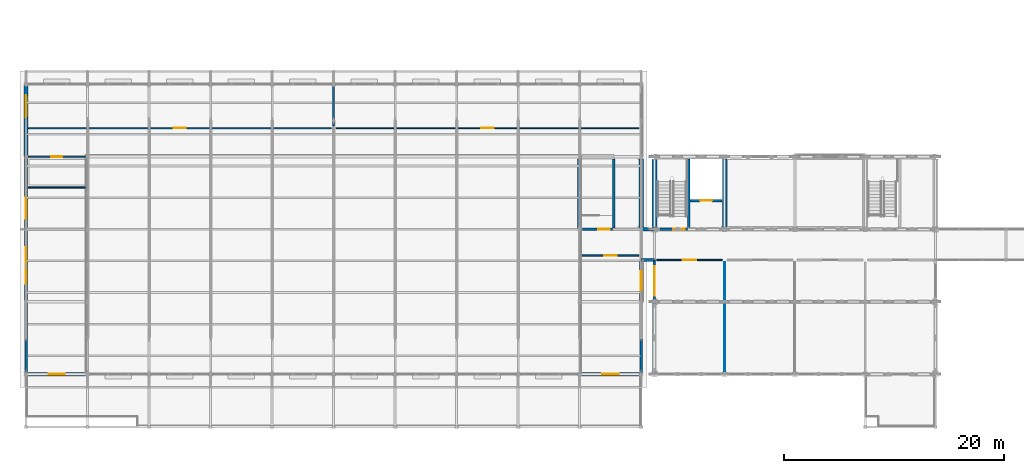
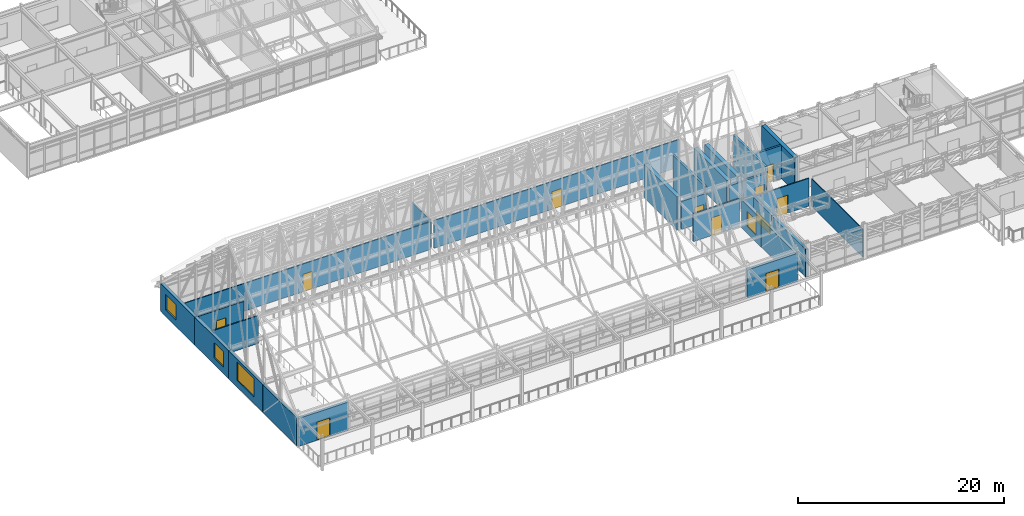
# One storey, part 128 of 144: 29 walls, 10 doors, 5 windows, 15 openings.
"""IFC4 building model written with IfcOpenShell, lengths in metres."""

import ifcopenshell
import ifcopenshell.guid

model = None  # the IFC model being written
_history = None  # IfcOwnerHistory: only IFC2X3 demands one
_inside = {}  # id of a spatial element -> (the spatial element, [elements in it])
_under = {}  # id of a project, library or spatial element -> (it, [spatial elements below it])
_declared = {}  # id of a project -> (the project, [libraries it declares])
_typed = {}  # id of a type object -> (the type object, [elements of that type])
_made_of = {}  # id of a material, layer set ... -> (it, [elements and type objects made of it])


def new_model(schema):
    """Start an empty IFC model of exactly this schema.

    Asked for "IFC4X3", IfcOpenShell would pick the latest addendum, in which some entities
    have other attributes; the version numbers below select the first issue.
    IFC2X3 requires an IfcOwnerHistory on every rooted entity: one is made here for all.
    """
    global model, _history
    if schema == "IFC4X3":
        model = ifcopenshell.file(schema_version=(4, 3, 0, 0))
    else:
        model = ifcopenshell.file(schema=schema)
    _inside.clear()
    _under.clear()
    _declared.clear()
    _typed.clear()
    _made_of.clear()
    _history = None
    if model.schema == "IFC2X3":
        org = make("IfcOrganization", Name="unknown")
        user = make(
            "IfcPersonAndOrganization",
            ThePerson=make("IfcPerson", FamilyName="unknown"),
            TheOrganization=org,
        )
        app = make(
            "IfcApplication",
            ApplicationDeveloper=org,
            Version="unknown",
            ApplicationFullName="unknown",
            ApplicationIdentifier="unknown",
        )
        _history = make(
            "IfcOwnerHistory",
            OwningUser=user,
            OwningApplication=app,
            ChangeAction="ADDED",
            CreationDate=0,
        )
    return model


def make(cls, **values):
    """One entity of the class cls with the attributes given. An attribute that is None is left unset."""
    return model.create_entity(
        cls, **{name: value for name, value in values.items() if value is not None}
    )


def rooted(cls, **values):
    """An entity with a GlobalId (a new one), such as an element, a storey or a relation."""
    return make(cls, GlobalId=ifcopenshell.guid.new(), OwnerHistory=_history, **values)


def si_unit(unit_type, name, prefix=None):
    """IfcSIUnit, for example si_unit("LENGTHUNIT", "METRE", prefix="MILLI")."""
    return make("IfcSIUnit", UnitType=unit_type, Prefix=prefix, Name=name)


def assignment(units):
    """IfcUnitAssignment: the units of a project."""
    return None if units is None else make("IfcUnitAssignment", Units=units)


def point(xyz):
    """IfcCartesianPoint."""
    return None if xyz is None else make("IfcCartesianPoint", Coordinates=xyz)


def direction(xyz):
    """IfcDirection."""
    return None if xyz is None else make("IfcDirection", DirectionRatios=xyz)


def frame(location, z_axis=None, x_axis=None):
    """IfcAxis2Placement3D, a coordinate frame: its origin and axes. An axis left out is left unset."""
    return make(
        "IfcAxis2Placement3D",
        Location=point(location),
        Axis=direction(z_axis),
        RefDirection=direction(x_axis),
    )


def frame_2d(location, x_axis=None):
    """IfcAxis2Placement2D, a coordinate frame in the plane: its origin and x axis."""
    return make(
        "IfcAxis2Placement2D", Location=point(location), RefDirection=direction(x_axis)
    )


def origin():
    """The frame at (0, 0, 0) with its axes left unset."""
    return frame((0.0, 0.0, 0.0))


def place(relative_to, where):
    """IfcLocalPlacement: puts the frame where relative to a parent placement (None: the world)."""
    return make(
        "IfcLocalPlacement", PlacementRelTo=relative_to, RelativePlacement=where
    )


def context(
    kind, dimensions, precision=None, world=None, true_north=None, identifier=None
):
    """IfcGeometricRepresentationContext, for example the 3D "Model" context."""
    return make(
        "IfcGeometricRepresentationContext",
        ContextIdentifier=identifier,
        ContextType=kind,
        CoordinateSpaceDimension=dimensions,
        Precision=precision,
        WorldCoordinateSystem=world,
        TrueNorth=true_north,
    )


def subcontext(parent, identifier, kind, view, scale=None):
    """IfcGeometricRepresentationSubContext, for example "Body" below "Model"."""
    return make(
        "IfcGeometricRepresentationSubContext",
        ContextIdentifier=identifier,
        ContextType=kind,
        ParentContext=parent,
        TargetScale=scale,
        TargetView=view,
    )


def project(units=None, contexts=None):
    """IfcProject with its units and contexts."""
    return rooted(
        "IfcProject",
        Name="project",
        RepresentationContexts=contexts,
        UnitsInContext=assignment(units),
    )


def spatial(cls, under=None, at=None, **own):
    """A site, building, storey or space (cls), placed at a placement, below another one or the project."""
    s = rooted(cls, ObjectPlacement=at, **own)
    if under is not None:
        _under.setdefault(under.id(), (under, []))[1].append(s)
    return s


def profile(cls, at=None, kind="AREA", **sizes):
    """A parametric profile (cls). Its sizes go by their IFC names, for example OverallWidth=200.0."""
    return make(cls, ProfileType=kind, Position=at, **sizes)


def rectangle(**sizes):
    """IfcRectangleProfileDef."""
    return profile("IfcRectangleProfileDef", **sizes)


def extrude(swept, where, along, depth):
    """IfcExtrudedAreaSolid: the profile swept, set in the frame where, extruded along a direction by depth."""
    return make(
        "IfcExtrudedAreaSolid",
        SweptArea=swept,
        Position=where,
        ExtrudedDirection=direction(along),
        Depth=depth,
    )


def shape(context_of_items, identifier, shape_type, items):
    """IfcShapeRepresentation: the items that make up one representation, for example the "Body"."""
    return make(
        "IfcShapeRepresentation",
        ContextOfItems=context_of_items,
        RepresentationIdentifier=identifier,
        RepresentationType=shape_type,
        Items=items,
    )


def material(Name=None, Category=None):
    """IfcMaterial."""
    return make("IfcMaterial", Name=Name, Category=Category)


def layer(
    of_material, thickness, ventilated=None, Name=None, Category=None, Priority=None
):
    """IfcMaterialLayer: one layer of a wall or slab, of a material (None: an air gap)."""
    return make(
        "IfcMaterialLayer",
        Material=of_material,
        LayerThickness=thickness,
        IsVentilated=ventilated,
        Name=Name,
        Category=Category,
        Priority=Priority,
    )


def layer_set(layers, Name=None):
    """IfcMaterialLayerSet."""
    return make("IfcMaterialLayerSet", MaterialLayers=layers, LayerSetName=Name)


def made_of(thing, what):
    """Note that an element or type object is made of a material, layer set ...; save() writes the relation."""
    if what is not None:
        _made_of.setdefault(what.id(), (what, []))[1].append(thing)
    return thing


def type_object(cls, material=None, **own):
    """A type object (cls), such as IfcWallType, which elements share."""
    return made_of(rooted(cls, **own), material)


def element(
    cls,
    number,
    at=None,
    inside=None,
    cuts=None,
    type_object=None,
    material=None,
    context=None,
    identifier="Body",
    shape_type=None,
    held_by="IfcProductDefinitionShape",
    body=None,
    shapes=None,
    **own,
):
    """One element of the class cls, such as IfcWall. Its Tag is "e" and its number.

    at: its placement. inside: the storey or other place that contains it. cuts: it is an
    opening in that element (IfcRelVoidsElement). A single representation is given by context,
    identifier, shape_type and body (its items); several are given by shapes. held_by: the class
    of the entity that holds the representations. save() writes the other relations.
    """
    e = rooted(cls, Tag="e%d" % number, ObjectPlacement=at, **own)
    if body is not None:
        shapes = [shape(context, identifier, shape_type, body)]
    if shapes is not None:
        e.Representation = make(held_by, Representations=shapes)
    if inside is not None:
        _inside.setdefault(inside.id(), (inside, []))[1].append(e)
    if cuts is not None:
        rooted(
            "IfcRelVoidsElement", RelatingBuildingElement=cuts, RelatedOpeningElement=e
        )
    if type_object is not None:
        _typed.setdefault(type_object.id(), (type_object, []))[1].append(e)
    return made_of(e, material)


def fill(opening, filler):
    """IfcRelFillsElement: the door or window that sits in an opening."""
    return rooted(
        "IfcRelFillsElement",
        RelatingOpeningElement=opening,
        RelatedBuildingElement=filler,
    )


def aggregate(whole, parts):
    """IfcRelAggregates: a whole, such as a stair, and the parts it consists of."""
    return rooted("IfcRelAggregates", RelatingObject=whole, RelatedObjects=parts)


def save(model, path):
    """Write the relations noted so far, then the file.

    IfcRelAggregates (storeys below a building ...), IfcRelContainedInSpatialStructure (elements
    in a storey), IfcRelDefinesByType, IfcRelAssociatesMaterial and IfcRelDeclares: one each for
    every whole, place, type object, material and project.
    """
    for whole, parts in _under.values():
        aggregate(whole, parts)
    for where, things in _inside.values():
        rooted(
            "IfcRelContainedInSpatialStructure",
            RelatedElements=things,
            RelatingStructure=where,
        )
    for kind, things in _typed.values():
        rooted("IfcRelDefinesByType", RelatedObjects=things, RelatingType=kind)
    for what, things in _made_of.values():
        rooted("IfcRelAssociatesMaterial", RelatedObjects=things, RelatingMaterial=what)
    for by, libraries in _declared.values():
        rooted("IfcRelDeclares", RelatingContext=by, RelatedDefinitions=libraries)
    model.write(path)


model = new_model("IFC4")

# Units and contexts
model_context = context("Model", 3, precision=1e-05, world=origin(), true_north=direction((0.0, 1.0)))
body_context = subcontext(model_context, "Body", "Model", "MODEL_VIEW")
ifc_project = project(units=[si_unit("LENGTHUNIT", "METRE"), si_unit("AREAUNIT", "SQUARE_METRE"), si_unit("VOLUMEUNIT", "CUBIC_METRE"), si_unit("PLANEANGLEUNIT", "RADIAN"), si_unit("MASSUNIT", "GRAM", prefix="KILO")], contexts=[model_context])

# Site, building, storey
site_placement = place(None, origin())
site = spatial("IfcSite", under=ifc_project, at=site_placement, CompositionType="ELEMENT")
building_placement = place(site_placement, origin())
building = spatial("IfcBuilding", under=site, at=building_placement, Name="Trelmorton Wharf Fire Station", CompositionType="ELEMENT")
storey_placement = place(building_placement, frame((0.0, 0.0, 5.39990234375)))
storey = spatial("IfcBuildingStorey", under=building, at=storey_placement, Name="L01", CompositionType="ELEMENT", Elevation=5.39990234375)

# Walls
ifc_material_1 = material(Name="Precast concrete 45 MPa", Category="concrete")
ifc_layer_1 = layer(ifc_material_1, 0.22998046875)
ifc_layer_set_1 = layer_set([ifc_layer_1], Name="Precast concrete 45 MPa")
wall_type_1 = type_object("IfcWallType", Name="EW_PREC_230", PredefinedType="SOLIDWALL", material=ifc_layer_set_1)
wall_1_placement = place(storey_placement, frame((0.800048828125, 7.804931640625, 0.0), z_axis=(0.0, 0.0, 1.0), x_axis=(0.0, 1.0, 0.0)))
element("IfcWall", 1, at=wall_1_placement, inside=storey, type_object=wall_type_1, Name="EW-V1-L01-0030", PredefinedType="SOLIDWALL", context=body_context, shape_type="SweptSolid", body=[
    extrude(rectangle(XDim=6.590087890625, YDim=0.22998046875, at=frame_2d((3.294921875, 0.0))), origin(), (0.0, 0.0, 1.0), 3.320068359375),
])
ifc_layer_2 = layer(ifc_material_1, 0.25)
ifc_layer_set_2 = layer_set([ifc_layer_2], Name="Precast concrete 45 MPa")
wall_type_2 = type_object("IfcWallType", Name="EW_PREC_250", PredefinedType="SOLIDWALL", material=ifc_layer_set_2)
wall_2_placement = place(storey_placement, frame((56.800048828125, 14.39501953125, 0.0), z_axis=(0.0, 0.0, 1.0), x_axis=(0.0, -1.0, 0.0)))
element("IfcWall", 2, at=wall_2_placement, inside=storey, type_object=wall_type_2, Name="EW-V1-L01-0031", PredefinedType="SOLIDWALL", context=body_context, shape_type="SweptSolid", body=[
    extrude(rectangle(XDim=6.590087890625, YDim=0.25, at=frame_2d((3.294921875, 0.0))), origin(), (0.0, 0.0, 1.0), 3.320068359375),
])

# Wall, opening, window
wall_3_placement = place(storey_placement, frame((58.0, 14.405029296875, 0.0), z_axis=(0.0, 0.0, 1.0), x_axis=(0.0, 1.0, 0.0)))
wall_3 = element("IfcWall", 3, at=wall_3_placement, inside=storey, type_object=wall_type_2, Name="EW-V3-L01-0049", PredefinedType="SOLIDWALL", context=body_context, shape_type="SweptSolid", body=[
    extrude(rectangle(XDim=3.7900390625, YDim=0.25, at=frame_2d((1.89501953125, 0.0))), origin(), (0.0, 0.0, 1.0), 3.320068359375),
])
opening_1_placement = place(wall_3_placement, frame((0.544921875, 0.0, 0.719970703125)))
opening_1 = element("IfcOpeningElement", 4, at=opening_1_placement, cuts=wall_3, Name="Opening W27", PredefinedType="OPENING", context=body_context, shape_type="SweptSolid", body=[
    extrude(rectangle(XDim=2.699951171875, YDim=1.14990234375, at=frame_2d((1.35009765625, 0.574951171875))), frame((0.0, 0.135009765625, 0.0), z_axis=(0.0, -1.0, 0.0), x_axis=(1.0, 0.0, 0.0)), (0.0, 0.0, 1.0), 0.27001953125),
])
ifc_material_2 = material(Name="Tempered low-E double glazing", Category="glass")
window_type_1 = type_object("IfcWindowType", Name="WIN_W27", PartitioningType="TRIPLE_PANEL_VERTICAL", PredefinedType="WINDOW", material=ifc_material_2)
window_1_placement = place(opening_1_placement, origin())
window_1 = element("IfcWindow", 5, at=window_1_placement, inside=storey, type_object=window_type_1, Name="WN-V3-L01-0016", OverallHeight=1.14990234375, OverallWidth=2.699951171875, PartitioningType="TRIPLE_PANEL_VERTICAL", PredefinedType="WINDOW", context=body_context, shape_type="SweptSolid", body=[
    extrude(rectangle(XDim=2.699951171875, YDim=1.14990234375, at=frame_2d((1.35009765625, 0.574951171875))), frame((0.0, 0.030029296875, 0.0), z_axis=(0.0, -1.0, 0.0), x_axis=(1.0, 0.0, 0.0)), (0.0, 0.0, 1.0), 0.06005859375),
])
fill(opening_1, window_1)

ifc_layer_3 = layer(ifc_material_1, 0.27001953125)
ifc_layer_set_3 = layer_set([ifc_layer_3], Name="Precast concrete 45 MPa")
wall_type_3 = type_object("IfcWallType", Name="EW_PREC_270", PredefinedType="SOLIDWALL", material=ifc_layer_set_3)
wall_4_placement = place(storey_placement, frame((0.800048828125, 14.405029296875, 0.0), z_axis=(0.0, 0.0, 1.0), x_axis=(0.0, 1.0, 0.0)))
wall_4 = element("IfcWall", 6, at=wall_4_placement, inside=storey, type_object=wall_type_3, Name="EW-V1-L01-0032", PredefinedType="SOLIDWALL", context=body_context, shape_type="SweptSolid", body=[
    extrude(rectangle(XDim=6.590087890625, YDim=0.27001953125, at=frame_2d((3.294921875, 0.0))), origin(), (0.0, 0.0, 1.0), 3.320068359375),
])
opening_2_placement = place(wall_4_placement, frame((1.64501953125, 0.0, 0.800048828125)))
opening_2 = element("IfcOpeningElement", 7, at=opening_2_placement, cuts=wall_4, Name="Opening W07", PredefinedType="OPENING", context=body_context, shape_type="SweptSolid", body=[
    extrude(rectangle(XDim=3.300048828125, YDim=2.199951171875, at=frame_2d((1.64990234375, 1.10009765625))), frame((0.0, 0.14501953125, 0.0), z_axis=(0.0, -1.0, 0.0), x_axis=(1.0, 0.0, 0.0)), (0.0, 0.0, 1.0), 0.2900390625),
])
window_type_2 = type_object("IfcWindowType", Name="WIN_W07", PartitioningType="TRIPLE_PANEL_VERTICAL", PredefinedType="WINDOW", material=ifc_material_2)
window_2_placement = place(opening_2_placement, origin())
window_2 = element("IfcWindow", 8, at=window_2_placement, inside=storey, type_object=window_type_2, Name="WN-V1-L01-0007", OverallHeight=2.199951171875, OverallWidth=3.300048828125, PartitioningType="TRIPLE_PANEL_VERTICAL", PredefinedType="WINDOW", context=body_context, shape_type="SweptSolid", body=[
    extrude(rectangle(XDim=3.300048828125, YDim=2.199951171875, at=frame_2d((1.64990234375, 1.10009765625))), frame((0.0, 0.030029296875, 0.0), z_axis=(0.0, -1.0, 0.0), x_axis=(1.0, 0.0, 0.0)), (0.0, 0.0, 1.0), 0.06005859375),
])
fill(opening_2, window_2)

# Wall
wall_5_placement = place(storey_placement, frame((57.9951171875, 18.199951171875, 0.0), z_axis=(0.0, 0.0, 1.0), x_axis=(-1.0, 0.0, 0.0)))
element("IfcWall", 9, at=wall_5_placement, inside=storey, type_object=wall_type_3, Name="EW-BR-L01-0248", PredefinedType="SOLIDWALL", context=body_context, shape_type="SweptSolid", body=[
    extrude(rectangle(XDim=1.190185546875, YDim=0.27001953125, at=frame_2d((0.59521484375, 0.0))), origin(), (0.0, 0.0, 1.0), 3.320068359375),
])

# Wall, opening, window
ifc_layer_4 = layer(ifc_material_1, 0.2900390625)
ifc_layer_set_4 = layer_set([ifc_layer_4], Name="Precast concrete 45 MPa")
wall_type_4 = type_object("IfcWallType", Name="EW_TERR_290", PredefinedType="SOLIDWALL", material=ifc_layer_set_4)
wall_6_placement = place(storey_placement, frame((56.800048828125, 18.195068359375, 0.0), z_axis=(0.0, 0.0, 1.0), x_axis=(0.0, -1.0, 0.0)))
wall_6 = element("IfcWall", 10, at=wall_6_placement, inside=storey, type_object=wall_type_4, Name="EW-V1-L01-0033", PredefinedType="SOLIDWALL", context=body_context, shape_type="SweptSolid", body=[
    extrude(rectangle(XDim=3.7900390625, YDim=0.2900390625, at=frame_2d((1.89501953125, 0.0))), origin(), (0.0, 0.0, 1.0), 3.320068359375),
])
opening_3_placement = place(wall_6_placement, frame((1.02001953125, 0.0, 0.800048828125)))
opening_3 = element("IfcOpeningElement", 11, at=opening_3_placement, cuts=wall_6, Name="Opening W09", PredefinedType="OPENING", context=body_context, shape_type="SweptSolid", body=[
    extrude(rectangle(XDim=1.75, YDim=1.800048828125, at=frame_2d((0.875, 0.89990234375))), frame((0.0, 0.155029296875, 0.0), z_axis=(0.0, -1.0, 0.0), x_axis=(1.0, 0.0, 0.0)), (0.0, 0.0, 1.0), 0.31005859375),
])
window_type_3 = type_object("IfcWindowType", Name="WIN_W09", PartitioningType="DOUBLE_PANEL_VERTICAL", PredefinedType="WINDOW", material=ifc_material_2)
window_3_placement = place(opening_3_placement, origin())
window_3 = element("IfcWindow", 12, at=window_3_placement, inside=storey, type_object=window_type_3, Name="WN-V1-L01-0008", OverallHeight=1.800048828125, OverallWidth=1.75, PartitioningType="DOUBLE_PANEL_VERTICAL", PredefinedType="WINDOW", context=body_context, shape_type="SweptSolid", body=[
    extrude(rectangle(XDim=1.75, YDim=1.800048828125, at=frame_2d((0.875, 0.89990234375))), frame((0.0, 0.030029296875, 0.0), z_axis=(0.0, -1.0, 0.0), x_axis=(1.0, 0.0, 0.0)), (0.0, 0.0, 1.0), 0.06005859375),
])
fill(opening_3, window_3)

# Wall
wall_7_placement = place(storey_placement, frame((56.804931640625, 21.0, 0.0), z_axis=(0.0, 0.0, 1.0), x_axis=(1.0, 0.0, 0.0)))
element("IfcWall", 13, at=wall_7_placement, inside=storey, type_object=wall_type_4, Name="EW-BR-L01-0249", PredefinedType="SOLIDWALL", context=body_context, shape_type="SweptSolid", body=[
    extrude(rectangle(XDim=1.190185546875, YDim=0.2900390625, at=frame_2d((0.59521484375, 0.0))), origin(), (0.0, 0.0, 1.0), 3.320068359375),
])

# Wall, opening, door
ifc_layer_5 = layer(ifc_material_1, 0.31005859375)
ifc_layer_set_5 = layer_set([ifc_layer_5], Name="Precast concrete 45 MPa")
wall_type_5 = type_object("IfcWallType", Name="EW_TERR_310", PredefinedType="SOLIDWALL", material=ifc_layer_set_5)
wall_8_placement = place(storey_placement, frame((6.39501953125, 7.800048828125, 0.0), z_axis=(0.0, 0.0, 1.0), x_axis=(-1.0, 0.0, 0.0)))
wall_8 = element("IfcWall", 14, at=wall_8_placement, inside=storey, type_object=wall_type_5, Name="EW-V1-L01-0028", PredefinedType="SOLIDWALL", context=body_context, shape_type="SweptSolid", body=[
    extrude(rectangle(XDim=5.590087890625, YDim=0.31005859375, at=frame_2d((2.794921875, 0.0))), origin(), (0.0, 0.0, 1.0), 3.320068359375),
])
opening_4_placement = place(wall_8_placement, frame((2.054931640625, 0.0, 0.0)))
opening_4 = element("IfcOpeningElement", 15, at=opening_4_placement, cuts=wall_8, Name="Opening TD-004", PredefinedType="OPENING", context=body_context, shape_type="SweptSolid", body=[
    extrude(rectangle(XDim=1.47998046875, YDim=2.159912109375, at=frame_2d((0.739990234375, 1.080078125))), frame((0.0, 0.1650390625, 0.0), z_axis=(0.0, -1.0, 0.0), x_axis=(1.0, 0.0, 0.0)), (0.0, 0.0, 1.0), 0.330078125),
])
ifc_material_3 = material(Name="Anodised aluminium AW-6063", Category="aluminium")
door_type_1 = type_object("IfcDoorType", Name="DR_TER_DBL_148", OperationType="DOUBLE_DOOR_SINGLE_SWING", PredefinedType="DOOR", material=ifc_material_3)
door_1_placement = place(opening_4_placement, origin())
door_1 = element("IfcDoor", 16, at=door_1_placement, inside=storey, type_object=door_type_1, Name="Terrace Door TD-004", OperationType="DOUBLE_DOOR_SINGLE_SWING", OverallHeight=2.159912109375, OverallWidth=1.47998046875, PredefinedType="DOOR", context=body_context, shape_type="SweptSolid", body=[
    extrude(rectangle(XDim=1.47998046875, YDim=2.159912109375, at=frame_2d((0.739990234375, 1.080078125))), frame((0.0, 0.02490234375, 0.0), z_axis=(0.0, -1.0, 0.0), x_axis=(1.0, 0.0, 0.0)), (0.0, 0.0, 1.0), 0.050048828125),
])
fill(opening_4, door_1)

# Wall, opening, window
wall_9_placement = place(storey_placement, frame((0.800048828125, 21.0048828125, 0.0), z_axis=(0.0, 0.0, 1.0), x_axis=(0.0, 1.0, 0.0)))
wall_9 = element("IfcWall", 17, at=wall_9_placement, inside=storey, type_object=wall_type_5, Name="EW-V1-L01-0034", PredefinedType="SOLIDWALL", context=body_context, shape_type="SweptSolid", body=[
    extrude(rectangle(XDim=6.590087890625, YDim=0.31005859375, at=frame_2d((3.294921875, 0.0))), origin(), (0.0, 0.0, 1.0), 3.320068359375),
])
opening_5_placement = place(wall_9_placement, frame((0.96240234375, 0.0, 0.800048828125)))
opening_5 = element("IfcOpeningElement", 18, at=opening_5_placement, cuts=wall_9, Name="Opening W10", PredefinedType="OPENING", context=body_context, shape_type="SweptSolid", body=[
    extrude(rectangle(XDim=1.89990234375, YDim=1.800048828125, at=frame_2d((0.949951171875, 0.89990234375))), frame((0.0, 0.1650390625, 0.0), z_axis=(0.0, -1.0, 0.0), x_axis=(1.0, 0.0, 0.0)), (0.0, 0.0, 1.0), 0.330078125),
])
window_type_4 = type_object("IfcWindowType", Name="WIN_W10", PartitioningType="DOUBLE_PANEL_VERTICAL", PredefinedType="WINDOW", material=ifc_material_2)
window_4_placement = place(opening_5_placement, origin())
window_4 = element("IfcWindow", 19, at=window_4_placement, inside=storey, type_object=window_type_4, Name="WN-V1-L01-0009", OverallHeight=1.800048828125, OverallWidth=1.89990234375, PartitioningType="DOUBLE_PANEL_VERTICAL", PredefinedType="WINDOW", context=body_context, shape_type="SweptSolid", body=[
    extrude(rectangle(XDim=1.89990234375, YDim=1.800048828125, at=frame_2d((0.949951171875, 0.89990234375))), frame((0.0, 0.030029296875, 0.0), z_axis=(0.0, -1.0, 0.0), x_axis=(1.0, 0.0, 0.0)), (0.0, 0.0, 1.0), 0.06005859375),
])
fill(opening_5, window_4)

# Wall, opening, door
ifc_layer_6 = layer(ifc_material_1, 0.330078125)
ifc_layer_set_6 = layer_set([ifc_layer_6], Name="Precast concrete 45 MPa")
wall_type_6 = type_object("IfcWallType", Name="EW_TERR_330", PredefinedType="SOLIDWALL", material=ifc_layer_set_6)
wall_10_placement = place(storey_placement, frame((56.794921875, 7.800048828125, 0.0), z_axis=(0.0, 0.0, 1.0), x_axis=(-1.0, 0.0, 0.0)))
wall_10 = element("IfcWall", 20, at=wall_10_placement, inside=storey, type_object=wall_type_6, Name="EW-V1-L01-0029", PredefinedType="SOLIDWALL", context=body_context, shape_type="SweptSolid", body=[
    extrude(rectangle(XDim=5.58984375, YDim=0.330078125, at=frame_2d((2.794921875, 0.0))), origin(), (0.0, 0.0, 1.0), 3.320068359375),
])
opening_6_placement = place(wall_10_placement, frame((2.054931640625, 0.0, 0.0)))
opening_6 = element("IfcOpeningElement", 21, at=opening_6_placement, cuts=wall_10, Name="Opening TD-005", PredefinedType="OPENING", context=body_context, shape_type="SweptSolid", body=[
    extrude(rectangle(XDim=1.47998046875, YDim=2.159912109375, at=frame_2d((0.739990234375, 1.080078125))), frame((0.0, 0.175048828125, 0.0), z_axis=(0.0, -1.0, 0.0), x_axis=(1.0, 0.0, 0.0)), (0.0, 0.0, 1.0), 0.35009765625),
])
door_2_placement = place(opening_6_placement, origin())
door_2 = element("IfcDoor", 22, at=door_2_placement, inside=storey, type_object=door_type_1, Name="Terrace Door TD-005", OperationType="DOUBLE_DOOR_SINGLE_SWING", OverallHeight=2.159912109375, OverallWidth=1.47998046875, PredefinedType="DOOR", context=body_context, shape_type="SweptSolid", body=[
    extrude(rectangle(XDim=1.47998046875, YDim=2.159912109375, at=frame_2d((0.739990234375, 1.080078125))), frame((0.0, 0.02490234375, 0.0), z_axis=(0.0, -1.0, 0.0), x_axis=(1.0, 0.0, 0.0)), (0.0, 0.0, 1.0), 0.050048828125),
])
fill(opening_6, door_2)

# Wall, opening, window
wall_11_placement = place(storey_placement, frame((0.800048828125, 27.60498046875, 0.0), z_axis=(0.0, 0.0, 1.0), x_axis=(0.0, 1.0, 0.0)))
wall_11 = element("IfcWall", 23, at=wall_11_placement, inside=storey, type_object=wall_type_6, Name="EW-V1-L01-0035", PredefinedType="SOLIDWALL", context=body_context, shape_type="SweptSolid", body=[
    extrude(rectangle(XDim=6.590087890625, YDim=0.330078125, at=frame_2d((3.294921875, 0.0))), origin(), (0.0, 0.0, 1.0), 3.320068359375),
])
opening_7_placement = place(wall_11_placement, frame((3.552490234375, 0.0, 0.800048828125)))
opening_7 = element("IfcOpeningElement", 24, at=opening_7_placement, cuts=wall_11, Name="Opening W11", PredefinedType="OPENING", context=body_context, shape_type="SweptSolid", body=[
    extrude(rectangle(XDim=2.050048828125, YDim=1.800048828125, at=frame_2d((1.02490234375, 0.89990234375))), frame((0.0, 0.175048828125, 0.0), z_axis=(0.0, -1.0, 0.0), x_axis=(1.0, 0.0, 0.0)), (0.0, 0.0, 1.0), 0.35009765625),
])
window_type_5 = type_object("IfcWindowType", Name="WIN_W11", PartitioningType="DOUBLE_PANEL_VERTICAL", PredefinedType="WINDOW", material=ifc_material_2)
window_5_placement = place(opening_7_placement, origin())
window_5 = element("IfcWindow", 25, at=window_5_placement, inside=storey, type_object=window_type_5, Name="WN-V1-L01-0010", OverallHeight=1.800048828125, OverallWidth=2.050048828125, PartitioningType="DOUBLE_PANEL_VERTICAL", PredefinedType="WINDOW", context=body_context, shape_type="SweptSolid", body=[
    extrude(rectangle(XDim=2.050048828125, YDim=1.800048828125, at=frame_2d((1.02490234375, 0.89990234375))), frame((0.0, 0.030029296875, 0.0), z_axis=(0.0, -1.0, 0.0), x_axis=(1.0, 0.0, 0.0)), (0.0, 0.0, 1.0), 0.06005859375),
])
fill(opening_7, window_5)

# Wall
wall_12_placement = place(storey_placement, frame((58.0, 7.804931640625, 0.0), z_axis=(0.0, 0.0, 1.0), x_axis=(0.0, 1.0, 0.0)))
element("IfcWall", 26, at=wall_12_placement, inside=storey, type_object=wall_type_6, Name="EW-V3-L01-0047", PredefinedType="SOLIDWALL", context=body_context, shape_type="SweptSolid", body=[
    extrude(rectangle(XDim=6.590087890625, YDim=0.330078125, at=frame_2d((3.294921875, 0.0))), origin(), (0.0, 0.0, 1.0), 3.320068359375),
])

# Wall, opening, door
ifc_material_4 = material(Name="Gypsum plasterboard partition")
ifc_layer_7 = layer(ifc_material_4, 0.14990234375)
ifc_layer_set_7 = layer_set([ifc_layer_7], Name="Gypsum plasterboard partition")
wall_type_7 = type_object("IfcWallType", Name="IW_ACOU_150", PredefinedType="PARTITIONING", material=ifc_layer_set_7)
wall_13_placement = place(storey_placement, frame((51.419921875, 18.60009765625, 0.0), z_axis=(0.0, 0.0, 1.0), x_axis=(1.0, 0.0, 0.0)))
wall_13 = element("IfcWall", 27, at=wall_13_placement, inside=storey, type_object=wall_type_7, Name="IW-L01-0072", PredefinedType="PARTITIONING", context=body_context, shape_type="SweptSolid", body=[
    extrude(rectangle(XDim=5.16015625, YDim=0.14990234375, at=frame_2d((2.580078125, 0.0))), origin(), (0.0, 0.0, 1.0), 3.300048828125),
])
opening_8_placement = place(wall_13_placement, frame((2.0048828125, 0.0, 0.0)))
opening_8 = element("IfcOpeningElement", 28, at=opening_8_placement, cuts=wall_13, Name="Opening D-049", PredefinedType="OPENING", context=body_context, shape_type="SweptSolid", body=[
    extrude(rectangle(XDim=1.14990234375, YDim=2.1201171875, at=frame_2d((0.574951171875, 1.06005859375))), frame((0.0, 0.0849609375, 0.0), z_axis=(0.0, -1.0, 0.0), x_axis=(1.0, 0.0, 0.0)), (0.0, 0.0, 1.0), 0.169921875),
])
ifc_material_5 = material(Name="Acoustic timber panelling", Category="wood")
door_type_2 = type_object("IfcDoorType", Name="DR_INT_115", OperationType="NOTDEFINED", PredefinedType="DOOR", material=ifc_material_5)
door_3_placement = place(opening_8_placement, origin())
door_3 = element("IfcDoor", 29, at=door_3_placement, inside=storey, type_object=door_type_2, Name="Interior Door D-049", OperationType="SINGLE_SWING_RIGHT", OverallHeight=2.1201171875, OverallWidth=1.14990234375, PredefinedType="DOOR", context=body_context, shape_type="SweptSolid", body=[
    extrude(rectangle(XDim=1.14990234375, YDim=2.1201171875, at=frame_2d((0.574951171875, 1.06005859375))), frame((0.0, 0.02490234375, 0.0), z_axis=(0.0, -1.0, 0.0), x_axis=(1.0, 0.0, 0.0)), (0.0, 0.0, 1.0), 0.050048828125),
])
fill(opening_8, door_3)

# Walls
ifc_layer_8 = layer(ifc_material_4, 0.159912109375)
ifc_layer_set_8 = layer_set([ifc_layer_8], Name="Gypsum plasterboard partition")
wall_type_8 = type_object("IfcWallType", Name="IW_ACOU_160", PredefinedType="PARTITIONING", material=ifc_layer_set_8)
wall_14_placement = place(storey_placement, frame((28.800048828125, 30.419921875, 0.0), z_axis=(0.0, 0.0, 1.0), x_axis=(0.0, 1.0, 0.0)))
element("IfcWall", 30, at=wall_14_placement, inside=storey, type_object=wall_type_8, Name="IW-L01-0071", PredefinedType="PARTITIONING", context=body_context, shape_type="SweptSolid", body=[
    extrude(rectangle(XDim=3.56005859375, YDim=0.159912109375, at=frame_2d((1.780029296875, 0.0))), origin(), (0.0, 0.0, 1.0), 3.300048828125),
])
ifc_material_6 = material(Name="Concrete 40 MPa", Category="concrete")
ifc_layer_9 = layer(ifc_material_6, 0.219970703125)
ifc_layer_set_9 = layer_set([ifc_layer_9], Name="Concrete 40 MPa")
wall_type_9 = type_object("IfcWallType", Name="IW_CORE_220", PredefinedType="SOLIDWALL", material=ifc_layer_set_9)
wall_15_placement = place(storey_placement, frame((54.320068359375, 21.1201171875, 0.0), z_axis=(0.0, 0.0, 1.0), x_axis=(0.0, 1.0, 0.0)))
element("IfcWall", 31, at=wall_15_placement, inside=storey, type_object=wall_type_9, Name="IW-C1-DIV-L01", PredefinedType="SOLIDWALL", context=body_context, shape_type="SweptSolid", body=[
    extrude(rectangle(XDim=6.2548828125, YDim=0.219970703125, at=frame_2d((3.12744140625, 0.0))), origin(), (0.0, 0.0, 1.0), 3.960205078125),
])

# Wall, opening, door
wall_16_placement = place(storey_placement, frame((51.4599609375, 21.0, 0.0), z_axis=(0.0, 0.0, 1.0), x_axis=(1.0, 0.0, 0.0)))
wall_16 = element("IfcWall", 32, at=wall_16_placement, inside=storey, type_object=wall_type_9, Name="IW-C1-SF-L01", PredefinedType="SOLIDWALL", context=body_context, shape_type="SweptSolid", body=[
    extrude(rectangle(XDim=2.739990234375, YDim=0.219970703125, at=frame_2d((1.3701171875, 0.0))), origin(), (0.0, 0.0, 1.0), 3.320068359375),
])
opening_9_placement = place(wall_16_placement, frame((1.43994140625, 0.0, 0.0)))
opening_9 = element("IfcOpeningElement", 33, at=opening_9_placement, cuts=wall_16, Name="Opening FD-002", PredefinedType="OPENING", context=body_context, shape_type="SweptSolid", body=[
    extrude(rectangle(XDim=1.06005859375, YDim=2.10009765625, at=frame_2d((0.530029296875, 1.050048828125))), frame((0.0, 0.1201171875, 0.0), z_axis=(0.0, -1.0, 0.0), x_axis=(1.0, 0.0, 0.0)), (0.0, 0.0, 1.0), 0.239990234375),
])
ifc_material_7 = material(Name="Stainless steel 316 marine grade", Category="steel")
door_type_3 = type_object("IfcDoorType", Name="DR_FIRE_106", OperationType="NOTDEFINED", PredefinedType="DOOR", material=ifc_material_7)
door_4_placement = place(opening_9_placement, origin())
door_4 = element("IfcDoor", 34, at=door_4_placement, inside=storey, type_object=door_type_3, Name="Stair Fire Door FD-002", OperationType="SINGLE_SWING_RIGHT", OverallHeight=2.10009765625, OverallWidth=1.06005859375, PredefinedType="DOOR", context=body_context, shape_type="SweptSolid", body=[
    extrude(rectangle(XDim=1.06005859375, YDim=2.10009765625, at=frame_2d((0.530029296875, 1.050048828125))), frame((0.0, 0.02490234375, 0.0), z_axis=(0.0, -1.0, 0.0), x_axis=(1.0, 0.0, 0.0)), (0.0, 0.0, 1.0), 0.050048828125),
])
fill(opening_9, door_4)

# Wall
wall_17_placement = place(storey_placement, frame((61.1201171875, 21.1201171875, 0.0), z_axis=(0.0, 0.0, 1.0), x_axis=(0.0, 1.0, 0.0)))
element("IfcWall", 35, at=wall_17_placement, inside=storey, type_object=wall_type_9, Name="IW-C2-DIV-L01", PredefinedType="SOLIDWALL", context=body_context, shape_type="SweptSolid", body=[
    extrude(rectangle(XDim=6.2548828125, YDim=0.219970703125, at=frame_2d((3.12744140625, 0.0))), origin(), (0.0, 0.0, 1.0), 3.960205078125),
])

# Wall, opening, door
wall_18_placement = place(storey_placement, frame((58.260009765625, 21.0, 0.0), z_axis=(0.0, 0.0, 1.0), x_axis=(1.0, 0.0, 0.0)))
wall_18 = element("IfcWall", 36, at=wall_18_placement, inside=storey, type_object=wall_type_9, Name="IW-C2-SF-L01", PredefinedType="SOLIDWALL", context=body_context, shape_type="SweptSolid", body=[
    extrude(rectangle(XDim=2.739990234375, YDim=0.219970703125, at=frame_2d((1.3701171875, 0.0))), origin(), (0.0, 0.0, 1.0), 3.320068359375),
])
opening_10_placement = place(wall_18_placement, frame((1.43994140625, 0.0, 0.0)))
opening_10 = element("IfcOpeningElement", 37, at=opening_10_placement, cuts=wall_18, Name="Opening FD-004", PredefinedType="OPENING", context=body_context, shape_type="SweptSolid", body=[
    extrude(rectangle(XDim=1.06005859375, YDim=2.10009765625, at=frame_2d((0.530029296875, 1.050048828125))), frame((0.0, 0.1201171875, 0.0), z_axis=(0.0, -1.0, 0.0), x_axis=(1.0, 0.0, 0.0)), (0.0, 0.0, 1.0), 0.239990234375),
])
door_5_placement = place(opening_10_placement, origin())
door_5 = element("IfcDoor", 38, at=door_5_placement, inside=storey, type_object=door_type_3, Name="Stair Fire Door FD-004", OperationType="SINGLE_SWING_LEFT", OverallHeight=2.10009765625, OverallWidth=1.06005859375, PredefinedType="DOOR", context=body_context, shape_type="SweptSolid", body=[
    extrude(rectangle(XDim=1.06005859375, YDim=2.10009765625, at=frame_2d((0.530029296875, 1.050048828125))), frame((0.0, 0.02490234375, 0.0), z_axis=(0.0, -1.0, 0.0), x_axis=(1.0, 0.0, 0.0)), (0.0, 0.0, 1.0), 0.050048828125),
])
fill(opening_10, door_5)

wall_19_placement = place(storey_placement, frame((61.239990234375, 23.60009765625, 0.0), z_axis=(0.0, 0.0, 1.0), x_axis=(1.0, 0.0, 0.0)))
wall_19 = element("IfcWall", 39, at=wall_19_placement, inside=storey, type_object=wall_type_9, Name="IW-C2-LSH-L01", PredefinedType="SOLIDWALL", context=body_context, shape_type="SweptSolid", body=[
    extrude(rectangle(XDim=2.93505859375, YDim=0.219970703125, at=frame_2d((1.467529296875, 0.0))), origin(), (0.0, 0.0, 1.0), 3.960205078125),
])
opening_11_placement = place(wall_19_placement, frame((0.91748046875, 0.0, 0.0)))
opening_11 = element("IfcOpeningElement", 40, at=opening_11_placement, cuts=wall_19, Name="Opening LD-002", PredefinedType="OPENING", context=body_context, shape_type="SweptSolid", body=[
    extrude(rectangle(XDim=1.10009765625, YDim=2.10009765625, at=frame_2d((0.550048828125, 1.050048828125))), frame((0.0, 0.1201171875, 0.0), z_axis=(0.0, -1.0, 0.0), x_axis=(1.0, 0.0, 0.0)), (0.0, 0.0, 1.0), 0.239990234375),
])
door_type_4 = type_object("IfcDoorType", Name="DR_LIFT_110", OperationType="DOUBLE_DOOR_SLIDING", PredefinedType="DOOR", material=ifc_material_7)
door_6_placement = place(opening_11_placement, origin())
door_6 = element("IfcDoor", 41, at=door_6_placement, inside=storey, type_object=door_type_4, Name="Lift Landing Door LD-002", OperationType="DOUBLE_DOOR_SLIDING", OverallHeight=2.10009765625, OverallWidth=1.10009765625, PredefinedType="DOOR", context=body_context, shape_type="SweptSolid", body=[
    extrude(rectangle(XDim=1.10009765625, YDim=2.10009765625, at=frame_2d((0.550048828125, 1.050048828125))), frame((0.0, 0.02490234375, 0.0), z_axis=(0.0, -1.0, 0.0), x_axis=(1.0, 0.0, 0.0)), (0.0, 0.0, 1.0), 0.050048828125),
])
fill(opening_11, door_6)

# Wall
ifc_layer_10 = layer(ifc_material_5, 0.090087890625)
ifc_layer_set_10 = layer_set([ifc_layer_10], Name="Acoustic timber panelling")
wall_type_10 = type_object("IfcWallType", Name="IW_MOVE_090", PredefinedType="MOVABLE", material=ifc_layer_set_10)
wall_20_placement = place(storey_placement, frame((64.39990234375, 8.02001953125, 0.0), z_axis=(0.0, 0.0, 1.0), x_axis=(0.0, 1.0, 0.0)))
element("IfcWall", 42, at=wall_20_placement, inside=storey, type_object=wall_type_10, Name="IW-L01-0073", PredefinedType="MOVABLE", context=body_context, shape_type="SweptSolid", body=[
    extrude(rectangle(XDim=9.9599609375, YDim=0.090087890625, at=frame_2d((4.97998046875, 0.0))), origin(), (0.0, 0.0, 1.0), 3.300048828125),
])

# Wall, opening, door
ifc_layer_11 = layer(ifc_material_4, 0.10009765625)
ifc_layer_set_11 = layer_set([ifc_layer_11], Name="Gypsum plasterboard partition")
wall_type_11 = type_object("IfcWallType", Name="IW_PART_100", PredefinedType="PARTITIONING", material=ifc_layer_set_11)
wall_21_placement = place(storey_placement, frame((29.02001953125, 30.199951171875, 0.0), z_axis=(0.0, 0.0, 1.0), x_axis=(1.0, 0.0, 0.0)))
wall_21 = element("IfcWall", 43, at=wall_21_placement, inside=storey, type_object=wall_type_11, Name="IW-L01-0070", PredefinedType="PARTITIONING", context=body_context, shape_type="SweptSolid", body=[
    extrude(rectangle(XDim=27.56005859375, YDim=0.10009765625, at=frame_2d((13.780029296875, 0.0))), origin(), (0.0, 0.0, 1.0), 3.300048828125),
])
opening_12_placement = place(wall_21_placement, frame((13.22509765625, 0.0, 0.0)))
opening_12 = element("IfcOpeningElement", 44, at=opening_12_placement, cuts=wall_21, Name="Opening D-048", PredefinedType="OPENING", context=body_context, shape_type="SweptSolid", body=[
    extrude(rectangle(XDim=1.110107421875, YDim=2.10009765625, at=frame_2d((0.55517578125, 1.050048828125))), frame((0.0, 0.06005859375, 0.0), z_axis=(0.0, -1.0, 0.0), x_axis=(1.0, 0.0, 0.0)), (0.0, 0.0, 1.0), 0.1201171875),
])
door_type_5 = type_object("IfcDoorType", Name="DR_INT_111", OperationType="NOTDEFINED", PredefinedType="DOOR", material=ifc_material_5)
door_7_placement = place(opening_12_placement, origin())
door_7 = element("IfcDoor", 45, at=door_7_placement, inside=storey, type_object=door_type_5, Name="Interior Door D-048", OperationType="SINGLE_SWING_LEFT", OverallHeight=2.10009765625, OverallWidth=1.110107421875, PredefinedType="DOOR", context=body_context, shape_type="SweptSolid", body=[
    extrude(rectangle(XDim=1.110107421875, YDim=2.10009765625, at=frame_2d((0.55517578125, 1.050048828125))), frame((0.0, 0.02490234375, 0.0), z_axis=(0.0, -1.0, 0.0), x_axis=(1.0, 0.0, 0.0)), (0.0, 0.0, 1.0), 0.050048828125),
])
fill(opening_12, door_7)

ifc_layer_12 = layer(ifc_material_4, 0.110107421875)
ifc_layer_set_12 = layer_set([ifc_layer_12], Name="Gypsum plasterboard partition")
wall_type_12 = type_object("IfcWallType", Name="IW_PART_110", PredefinedType="PARTITIONING", material=ifc_layer_set_12)
wall_22_placement = place(storey_placement, frame((1.02001953125, 30.199951171875, 0.0), z_axis=(0.0, 0.0, 1.0), x_axis=(1.0, 0.0, 0.0)))
wall_22 = element("IfcWall", 46, at=wall_22_placement, inside=storey, type_object=wall_type_12, Name="IW-L01-0069", PredefinedType="PARTITIONING", context=body_context, shape_type="SweptSolid", body=[
    extrude(rectangle(XDim=27.56005859375, YDim=0.110107421875, at=frame_2d((13.780029296875, 0.0))), origin(), (0.0, 0.0, 1.0), 3.300048828125),
])
opening_13_placement = place(wall_22_placement, frame((13.2451171875, 0.0, 0.0)))
opening_13 = element("IfcOpeningElement", 47, at=opening_13_placement, cuts=wall_22, Name="Opening D-047", PredefinedType="OPENING", context=body_context, shape_type="SweptSolid", body=[
    extrude(rectangle(XDim=1.070068359375, YDim=2.080078125, at=frame_2d((0.53515625, 1.0400390625))), frame((0.0, 0.06494140625, 0.0), z_axis=(0.0, -1.0, 0.0), x_axis=(1.0, 0.0, 0.0)), (0.0, 0.0, 1.0), 0.130126953125),
])
door_type_6 = type_object("IfcDoorType", Name="DR_INT_107", OperationType="NOTDEFINED", PredefinedType="DOOR", material=ifc_material_5)
door_8_placement = place(opening_13_placement, origin())
door_8 = element("IfcDoor", 48, at=door_8_placement, inside=storey, type_object=door_type_6, Name="Interior Door D-047", OperationType="SINGLE_SWING_RIGHT", OverallHeight=2.080078125, OverallWidth=1.070068359375, PredefinedType="DOOR", context=body_context, shape_type="SweptSolid", body=[
    extrude(rectangle(XDim=1.070068359375, YDim=2.080078125, at=frame_2d((0.53515625, 1.0400390625))), frame((0.0, 0.02490234375, 0.0), z_axis=(0.0, -1.0, 0.0), x_axis=(1.0, 0.0, 0.0)), (0.0, 0.0, 1.0), 0.050048828125),
])
fill(opening_13, door_8)

# Wall
ifc_layer_13 = layer(ifc_material_4, 0.1298828125)
ifc_layer_set_13 = layer_set([ifc_layer_13], Name="Gypsum plasterboard partition")
wall_type_13 = type_object("IfcWallType", Name="IW_PART_130", PredefinedType="PARTITIONING", material=ifc_layer_set_13)
wall_23_placement = place(storey_placement, frame((1.02001953125, 24.800048828125, 0.0), z_axis=(0.0, 0.0, 1.0), x_axis=(1.0, 0.0, 0.0)))
element("IfcWall", 49, at=wall_23_placement, inside=storey, type_object=wall_type_13, Name="IW-L01-0067", PredefinedType="PARTITIONING", context=body_context, shape_type="SweptSolid", body=[
    extrude(rectangle(XDim=5.159912109375, YDim=0.1298828125, at=frame_2d((2.580078125, 0.0))), origin(), (0.0, 0.0, 1.0), 3.300048828125),
])

# Wall, opening, door
wall_24_placement = place(storey_placement, frame((58.219970703125, 18.199951171875, 0.0), z_axis=(0.0, 0.0, 1.0), x_axis=(1.0, 0.0, 0.0)))
wall_24 = element("IfcWall", 50, at=wall_24_placement, inside=storey, type_object=wall_type_13, Name="IW-L01-0074", PredefinedType="PARTITIONING", context=body_context, shape_type="SweptSolid", body=[
    extrude(rectangle(XDim=5.9599609375, YDim=0.1298828125, at=frame_2d((2.97998046875, 0.0))), origin(), (0.0, 0.0, 1.0), 3.300048828125),
])
opening_14_placement = place(wall_24_placement, frame((2.385009765625, 0.0, 0.0)))
opening_14 = element("IfcOpeningElement", 51, at=opening_14_placement, cuts=wall_24, Name="Opening D-050", PredefinedType="OPENING", context=body_context, shape_type="SweptSolid", body=[
    extrude(rectangle(XDim=1.18994140625, YDim=2.139892578125, at=frame_2d((0.594970703125, 1.06982421875))), frame((0.0, 0.074951171875, 0.0), z_axis=(0.0, -1.0, 0.0), x_axis=(1.0, 0.0, 0.0)), (0.0, 0.0, 1.0), 0.14990234375),
])
door_type_7 = type_object("IfcDoorType", Name="DR_INT_119", OperationType="NOTDEFINED", PredefinedType="DOOR", material=ifc_material_5)
door_9_placement = place(opening_14_placement, origin())
door_9 = element("IfcDoor", 52, at=door_9_placement, inside=storey, type_object=door_type_7, Name="Interior Door D-050", OperationType="SINGLE_SWING_LEFT", OverallHeight=2.139892578125, OverallWidth=1.18994140625, PredefinedType="DOOR", context=body_context, shape_type="SweptSolid", body=[
    extrude(rectangle(XDim=1.18994140625, YDim=2.139892578125, at=frame_2d((0.594970703125, 1.06982421875))), frame((0.0, 0.02490234375, 0.0), z_axis=(0.0, -1.0, 0.0), x_axis=(1.0, 0.0, 0.0)), (0.0, 0.0, 1.0), 0.050048828125),
])
fill(opening_14, door_9)

ifc_layer_14 = layer(ifc_material_4, 0.1201171875)
ifc_layer_set_14 = layer_set([ifc_layer_14], Name="Gypsum plasterboard partition")
wall_type_14 = type_object("IfcWallType", Name="IW_WET_120", PredefinedType="PARTITIONING", material=ifc_layer_set_14)
wall_25_placement = place(storey_placement, frame((1.02001953125, 27.60009765625, 0.0), z_axis=(0.0, 0.0, 1.0), x_axis=(1.0, 0.0, 0.0)))
wall_25 = element("IfcWall", 53, at=wall_25_placement, inside=storey, type_object=wall_type_14, Name="IW-L01-0068", PredefinedType="PARTITIONING", context=body_context, shape_type="SweptSolid", body=[
    extrude(rectangle(XDim=5.159912109375, YDim=0.1201171875, at=frame_2d((2.580078125, 0.0))), origin(), (0.0, 0.0, 1.0), 3.300048828125),
])
opening_15_placement = place(wall_25_placement, frame((2.06494140625, 0.0, 0.0)))
opening_15 = element("IfcOpeningElement", 54, at=opening_15_placement, cuts=wall_25, Name="Opening D-046", PredefinedType="OPENING", context=body_context, shape_type="SweptSolid", body=[
    extrude(rectangle(XDim=1.030029296875, YDim=2.06005859375, at=frame_2d((0.51513671875, 1.030029296875))), frame((0.0, 0.070068359375, 0.0), z_axis=(0.0, -1.0, 0.0), x_axis=(1.0, 0.0, 0.0)), (0.0, 0.0, 1.0), 0.14013671875),
])
door_type_8 = type_object("IfcDoorType", Name="DR_INT_103", OperationType="NOTDEFINED", PredefinedType="DOOR", material=ifc_material_5)
door_10_placement = place(opening_15_placement, origin())
door_10 = element("IfcDoor", 55, at=door_10_placement, inside=storey, type_object=door_type_8, Name="Interior Door D-046", OperationType="SINGLE_SWING_LEFT", OverallHeight=2.06005859375, OverallWidth=1.030029296875, PredefinedType="DOOR", context=body_context, shape_type="SweptSolid", body=[
    extrude(rectangle(XDim=1.030029296875, YDim=2.06005859375, at=frame_2d((0.51513671875, 1.030029296875))), frame((0.0, 0.02490234375, 0.0), z_axis=(0.0, -1.0, 0.0), x_axis=(1.0, 0.0, 0.0)), (0.0, 0.0, 1.0), 0.050048828125),
])
fill(opening_15, door_10)

# Walls
ifc_material_8 = material(Name="Concrete 50 MPa", Category="concrete")
ifc_layer_15 = layer(ifc_material_8, 0.43994140625)
ifc_layer_set_15 = layer_set([ifc_layer_15], Name="Concrete 50 MPa")
wall_type_15 = type_object("IfcWallType", Name="WL_CORE_440", PredefinedType="SHEAR", material=ifc_layer_set_15)
for number, where, z_axis, x_axis, name in (
    (56, (51.199951171875, 21.0, 0.0), (0.0, 0.0, 1.0), (0.0, 1.0, 0.0), "WL-SW-C1-L01-005"),
    (57, (56.800048828125, 21.0, 0.0), (0.0, 0.0, 1.0), (0.0, 1.0, 0.0), "WL-SW-C1-L01-006"),
    (58, (58.0, 21.0, 0.0), (0.0, 0.0, 1.0), (0.0, 1.0, 0.0), "WL-SW-C2-L01-011"),
    (59, (64.39990234375, 21.0, 0.0), (0.0, 0.0, 1.0), (0.0, 1.0, 0.0), "WL-SW-C2-L01-012"),
):
    element("IfcWall", number, at=place(storey_placement, frame(where, z_axis=z_axis, x_axis=x_axis)), inside=storey, type_object=wall_type_15, Name=name, PredefinedType="SHEAR", context=body_context, shape_type="SweptSolid", body=[
        extrude(rectangle(XDim=6.3798828125, YDim=0.43994140625, at=frame_2d((3.18994140625, 0.0))), origin(), (0.0, 0.0, 1.0), 3.960205078125),
    ])

save(model, "model.ifc")
